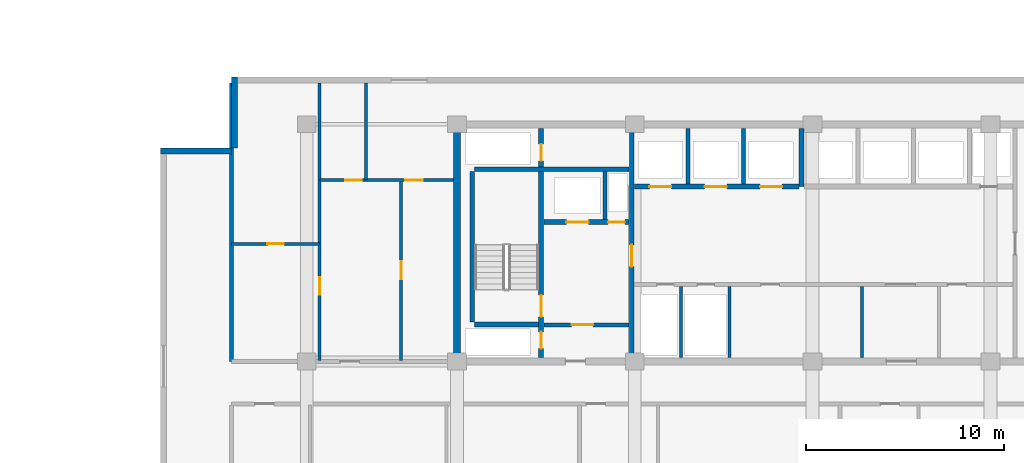
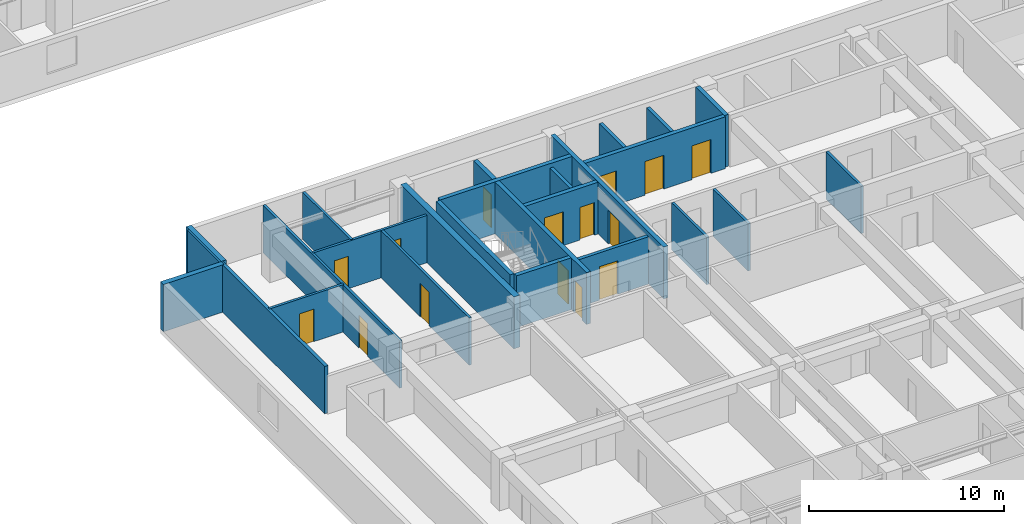
# One storey, part 7 of 23: 24 walls, 15 doors, 15 openings.
"""IFC4 building model written with IfcOpenShell, lengths in metres."""

from ifc_helpers import new_model, si_unit, direction, frame, frame_2d, origin, place, context, subcontext, project, spatial, rectangle, extrude, material, layer, layer_set, type_object, element, fill, save


model = new_model("IFC4")

# Units and contexts
model_context = context("Model", 3, precision=1e-05, world=origin(), true_north=direction((0.0, 1.0)))
body_context = subcontext(model_context, "Body", "Model", "MODEL_VIEW")
ifc_project = project(units=[si_unit("LENGTHUNIT", "METRE"), si_unit("AREAUNIT", "SQUARE_METRE"), si_unit("VOLUMEUNIT", "CUBIC_METRE"), si_unit("PLANEANGLEUNIT", "RADIAN"), si_unit("MASSUNIT", "GRAM", prefix="KILO")], contexts=[model_context])

# Site, building, storey
site_placement = place(None, origin())
site = spatial("IfcSite", under=ifc_project, at=site_placement, CompositionType="ELEMENT")
building_placement = place(site_placement, origin())
building = spatial("IfcBuilding", under=site, at=building_placement, Name="Korimba Cascade Residences", CompositionType="ELEMENT")
storey_placement = place(building_placement, frame((0.0, 0.0, 72.75)))
storey = spatial("IfcBuildingStorey", under=building, at=storey_placement, Name="L20", CompositionType="ELEMENT", Elevation=72.75)

# Walls
ifc_material_1 = material(Name="Precast concrete C40/50", Category="concrete")
ifc_layer_1 = layer(ifc_material_1, 0.300048828125)
ifc_layer_set_1 = layer_set([ifc_layer_1], Name="Precast concrete C40/50")
wall_type_1 = type_object("IfcWallType", Name="EW-STONE-300", PredefinedType="STANDARD", material=ifc_layer_set_1)
wall_1_placement = place(storey_placement, frame((70.85009765625, 32.800048828125, 0.0), z_axis=(0.0, 0.0, 1.0), x_axis=(0.0, -1.0, 0.0)))
element("IfcWall", 1, at=wall_1_placement, inside=storey, type_object=wall_type_1, Name="L20 T2 Perimeter Stone Wall E07", PredefinedType="STANDARD", context=body_context, shape_type="SweptSolid", body=[
    extrude(rectangle(XDim=3.60009765625, YDim=0.300048828125, at=frame_2d((1.800048828125, 0.0))), origin(), (0.0, 0.0, 1.0), 2.969970703125),
])
wall_2_placement = place(storey_placement, frame((70.699951171875, 29.050048828125, 0.0), z_axis=(0.0, 0.0, 1.0), x_axis=(-1.0, 0.0, 0.0)))
element("IfcWall", 2, at=wall_2_placement, inside=storey, type_object=wall_type_1, Name="L20 T2 Perimeter Stone Wall E08", PredefinedType="STANDARD", context=body_context, shape_type="SweptSolid", body=[
    extrude(rectangle(XDim=3.599853515625, YDim=0.300048828125, at=frame_2d((1.7998046875, 0.0))), origin(), (0.0, 0.0, 1.0), 2.969970703125),
])
ifc_material_2 = material(Name="Concrete C65/80", Category="concrete")
ifc_layer_2 = layer(ifc_material_2, 0.35009765625)
ifc_layer_set_2 = layer_set([ifc_layer_2], Name="Concrete C65/80")
wall_type_2 = type_object("IfcWallType", Name="WAL-CORE-350", PredefinedType="SHEAR", material=ifc_layer_set_2)
wall_3_placement = place(storey_placement, frame((82.10009765625, 18.574951171875, 0.0), z_axis=(0.0, 0.0, 1.0), x_axis=(0.0, 1.0, 0.0)))
element("IfcWall", 3, at=wall_3_placement, inside=storey, type_object=wall_type_2, Name="L20 Core Shear Wall CW-L20-T2-W", PredefinedType="SHEAR", context=body_context, shape_type="SweptSolid", body=[
    extrude(rectangle(XDim=11.650146484375, YDim=0.35009765625, at=frame_2d((5.8251953125, 0.0))), origin(), (0.0, 0.0, 1.0), 3.25),
])
ifc_layer_3 = layer(ifc_material_1, 0.199951171875)
ifc_layer_set_3 = layer_set([ifc_layer_3], Name="Precast concrete C40/50")
wall_type_3 = type_object("IfcWallType", Name="WAL-IT-200", PredefinedType="PARTITIONING", material=ifc_layer_set_3)
wall_4_placement = place(storey_placement, frame((70.699951171875, 18.39990234375, 0.0), z_axis=(0.0, 0.0, 1.0), x_axis=(0.0, 1.0, 0.0)))
element("IfcWall", 4, at=wall_4_placement, inside=storey, type_object=wall_type_3, Name="L20 Partition Wall WAL-L20-T2-FW-WL", PredefinedType="PARTITIONING", context=body_context, shape_type="SweptSolid", body=[
    extrude(rectangle(XDim=14.10009765625, YDim=0.199951171875, at=frame_2d((7.050048828125, 0.0))), origin(), (0.0, 0.0, 1.0), 2.969970703125),
])
ifc_material_3 = material(Name="Insulated Acoustic Stud Partition", Category="gypsum")
ifc_layer_4 = layer(ifc_material_3, 0.14990234375)
ifc_layer_set_4 = layer_set([ifc_layer_4], Name="Insulated Acoustic Stud Partition")
wall_type_4 = type_object("IfcWallType", Name="WAL-PART-150", PredefinedType="PARTITIONING", material=ifc_layer_set_4)
for number, where, z_axis, x_axis, name in (
    (5, (93.449951171875, 18.60009765625, 0.0), (0.0, 0.0, 1.0), (0.0, 1.0, 0.0), "L20 Partition Wall CW-L20-T2-ERDIV"),
    (6, (95.89990234375, 18.60009765625, 0.0), (0.0, 0.0, 1.0), (0.0, 1.0, 0.0), "L20 Partition Wall CW-L20-T2-PRDIV"),
    (7, (102.60009765625, 18.60009765625, 0.0), (0.0, 0.0, 1.0), (0.0, 1.0, 0.0), "L20 Partition Wall CW-L20-T2-THW"),
):
    element("IfcWall", number, at=place(storey_placement, frame(where, z_axis=z_axis, x_axis=x_axis)), inside=storey, type_object=wall_type_4, Name=name, PredefinedType="PARTITIONING", context=body_context, shape_type="SweptSolid", body=[
        extrude(rectangle(XDim=3.599853515625, YDim=0.14990234375, at=frame_2d((1.7998046875, 0.0))), origin(), (0.0, 0.0, 1.0), 2.969970703125),
    ])

# Wall, opening, door
wall_5_placement = place(storey_placement, frame((70.699951171875, 24.35009765625, 0.0), z_axis=(0.0, 0.0, 1.0), x_axis=(1.0, 0.0, 0.0)))
wall_5 = element("IfcWall", 8, at=wall_5_placement, inside=storey, type_object=wall_type_4, Name="L20 Partition Wall WAL-L20-T2-FW-STH", PredefinedType="PARTITIONING", context=body_context, shape_type="SweptSolid", body=[
    extrude(rectangle(XDim=4.449951171875, YDim=0.14990234375, at=frame_2d((2.22509765625, 0.0))), origin(), (0.0, 0.0, 1.0), 2.969970703125),
])
opening_1_placement = place(wall_5_placement, frame((1.804931640625, 0.0, 0.0)))
opening_1 = element("IfcOpeningElement", 9, at=opening_1_placement, cuts=wall_5, Name="Opening D-BT1", PredefinedType="OPENING", context=body_context, shape_type="SweptSolid", body=[
    extrude(rectangle(XDim=0.840087890625, YDim=2.0400390625, at=frame_2d((0.419921875, 1.02001953125))), frame((0.0, 0.0849609375, 0.0), z_axis=(0.0, -1.0, 0.0), x_axis=(1.0, 0.0, 0.0)), (0.0, 0.0, 1.0), 0.169921875),
])
ifc_material_4 = material(Name="Moisture-Resistant Bathroom Timber Door", Category="wood")
door_type_1 = type_object("IfcDoorType", Name="DR-INT-850", OperationType="NOTDEFINED", PredefinedType="DOOR", material=ifc_material_4)
door_1_placement = place(opening_1_placement, origin())
door_1 = element("IfcDoor", 10, at=door_1_placement, inside=storey, type_object=door_type_1, Name="L20-T2-FW Dressing Store Door", OperationType="SINGLE_SWING_LEFT", OverallHeight=2.0400390625, OverallWidth=0.840087890625, PredefinedType="DOOR", context=body_context, shape_type="SweptSolid", body=[
    extrude(rectangle(XDim=0.840087890625, YDim=2.0400390625, at=frame_2d((0.419921875, 1.02001953125))), frame((0.0, 0.02490234375, 0.0), z_axis=(0.0, -1.0, 0.0), x_axis=(1.0, 0.0, 0.0)), (0.0, 0.0, 1.0), 0.050048828125),
])
fill(opening_1, door_1)

wall_6_placement = place(storey_placement, frame((75.14990234375, 18.449951171875, 0.0), z_axis=(0.0, 0.0, 1.0), x_axis=(0.0, 1.0, 0.0)))
wall_6 = element("IfcWall", 11, at=wall_6_placement, inside=storey, type_object=wall_type_4, Name="L20 Partition Wall WAL-L20-T2-FW-STV", PredefinedType="PARTITIONING", context=body_context, shape_type="SweptSolid", body=[
    extrude(rectangle(XDim=14.050048828125, YDim=0.14990234375, at=frame_2d((7.02490234375, 0.0))), origin(), (0.0, 0.0, 1.0), 2.969970703125),
])
opening_2_placement = place(wall_6_placement, frame((3.320068359375, 0.0, 0.0)))
opening_2 = element("IfcOpeningElement", 12, at=opening_2_placement, cuts=wall_6, Name="Opening D-IN2", PredefinedType="OPENING", context=body_context, shape_type="SweptSolid", body=[
    extrude(rectangle(XDim=0.8798828125, YDim=2.06005859375, at=frame_2d((0.43994140625, 1.030029296875))), frame((0.0, 0.0849609375, 0.0), z_axis=(0.0, -1.0, 0.0), x_axis=(1.0, 0.0, 0.0)), (0.0, 0.0, 1.0), 0.169921875),
])
ifc_material_5 = material(Name="Acoustic Timber Bedroom Door", Category="wood")
door_type_2 = type_object("IfcDoorType", Name="DR-INT-880", OperationType="NOTDEFINED", PredefinedType="DOOR", material=ifc_material_5)
door_2_placement = place(opening_2_placement, origin())
door_2 = element("IfcDoor", 13, at=door_2_placement, inside=storey, type_object=door_type_2, Name="L20-T2-FW Study Door", OperationType="SINGLE_SWING_RIGHT", OverallHeight=2.06005859375, OverallWidth=0.8798828125, PredefinedType="DOOR", context=body_context, shape_type="SweptSolid", body=[
    extrude(rectangle(XDim=0.8798828125, YDim=2.06005859375, at=frame_2d((0.43994140625, 1.030029296875))), frame((0.0, 0.02490234375, 0.0), z_axis=(0.0, -1.0, 0.0), x_axis=(1.0, 0.0, 0.0)), (0.0, 0.0, 1.0), 0.050048828125),
])
fill(opening_2, door_2)

wall_7_placement = place(storey_placement, frame((79.27001953125, 18.449951171875, 0.0), z_axis=(0.0, 0.0, 1.0), x_axis=(0.0, 1.0, 0.0)))
wall_7 = element("IfcWall", 14, at=wall_7_placement, inside=storey, type_object=wall_type_4, Name="L20 Partition Wall WAL-L20-T2-FW-VS", PredefinedType="PARTITIONING", context=body_context, shape_type="SweptSolid", body=[
    extrude(rectangle(XDim=9.1201171875, YDim=0.14990234375, at=frame_2d((4.56005859375, 0.0))), origin(), (0.0, 0.0, 1.0), 2.969970703125),
])
opening_3_placement = place(wall_7_placement, frame((4.10009765625, 0.0, 0.0)))
opening_3 = element("IfcOpeningElement", 15, at=opening_3_placement, cuts=wall_7, Name="Opening D-IN1", PredefinedType="OPENING", context=body_context, shape_type="SweptSolid", body=[
    extrude(rectangle(XDim=0.919921875, YDim=2.080078125, at=frame_2d((0.4599609375, 1.0400390625))), frame((0.0, 0.0849609375, 0.0), z_axis=(0.0, -1.0, 0.0), x_axis=(1.0, 0.0, 0.0)), (0.0, 0.0, 1.0), 0.169921875),
])
ifc_material_6 = material(Name="Acoustic Timber Living Door", Category="wood")
door_type_3 = type_object("IfcDoorType", Name="DR-INT-920", OperationType="NOTDEFINED", PredefinedType="DOOR", material=ifc_material_6)
door_3_placement = place(opening_3_placement, origin())
door_3 = element("IfcDoor", 16, at=door_3_placement, inside=storey, type_object=door_type_3, Name="L20-T2-FW Living Door", OperationType="SINGLE_SWING_LEFT", OverallHeight=2.080078125, OverallWidth=0.919921875, PredefinedType="DOOR", context=body_context, shape_type="SweptSolid", body=[
    extrude(rectangle(XDim=0.919921875, YDim=2.080078125, at=frame_2d((0.4599609375, 1.0400390625))), frame((0.0, 0.02490234375, 0.0), z_axis=(0.0, -1.0, 0.0), x_axis=(1.0, 0.0, 0.0)), (0.0, 0.0, 1.0), 0.050048828125),
])
fill(opening_3, door_3)

# Wall
wall_8_placement = place(storey_placement, frame((77.5, 27.570068359375, 0.0), z_axis=(0.0, 0.0, 1.0), x_axis=(0.0, 1.0, 0.0)))
element("IfcWall", 17, at=wall_8_placement, inside=storey, type_object=wall_type_4, Name="L20 Partition Wall WAL-L20-T2-FW-VN", PredefinedType="PARTITIONING", context=body_context, shape_type="SweptSolid", body=[
    extrude(rectangle(XDim=4.929931640625, YDim=0.14990234375, at=frame_2d((2.46484375, 0.0))), origin(), (0.0, 0.0, 1.0), 2.969970703125),
])

# Wall, openings, doors
wall_9_placement = place(storey_placement, frame((75.169921875, 27.570068359375, 0.0), z_axis=(0.0, 0.0, 1.0), x_axis=(1.0, 0.0, 0.0)))
wall_9 = element("IfcWall", 18, at=wall_9_placement, inside=storey, type_object=wall_type_4, Name="L20 Partition Wall WAL-L20-T2-FW-H", PredefinedType="PARTITIONING", context=body_context, shape_type="SweptSolid", body=[
    extrude(rectangle(XDim=6.760009765625, YDim=0.14990234375, at=frame_2d((3.3798828125, 0.0))), origin(), (0.0, 0.0, 1.0), 2.969970703125),
])
opening_4_placement = place(wall_9_placement, frame((1.266357421875, 0.0, 0.0)))
opening_4 = element("IfcOpeningElement", 19, at=opening_4_placement, cuts=wall_9, Name="Opening D-BT1", PredefinedType="OPENING", context=body_context, shape_type="SweptSolid", body=[
    extrude(rectangle(XDim=0.840087890625, YDim=2.0400390625, at=frame_2d((0.419921875, 1.02001953125))), frame((0.0, 0.0849609375, 0.0), z_axis=(0.0, -1.0, 0.0), x_axis=(1.0, 0.0, 0.0)), (0.0, 0.0, 1.0), 0.169921875),
])
opening_5_placement = place(wall_9_placement, frame((4.320068359375, 0.0, 0.0)))
opening_5 = element("IfcOpeningElement", 20, at=opening_5_placement, cuts=wall_9, Name="Opening D-IN2", PredefinedType="OPENING", context=body_context, shape_type="SweptSolid", body=[
    extrude(rectangle(XDim=0.8798828125, YDim=2.06005859375, at=frame_2d((0.43994140625, 1.030029296875))), frame((0.0, 0.0849609375, 0.0), z_axis=(0.0, -1.0, 0.0), x_axis=(1.0, 0.0, 0.0)), (0.0, 0.0, 1.0), 0.169921875),
])
door_4_placement = place(opening_4_placement, origin())
door_4 = element("IfcDoor", 21, at=door_4_placement, inside=storey, type_object=door_type_1, Name="L20-T2-FW Bathroom Door", OperationType="SINGLE_SWING_RIGHT", OverallHeight=2.0400390625, OverallWidth=0.840087890625, PredefinedType="DOOR", context=body_context, shape_type="SweptSolid", body=[
    extrude(rectangle(XDim=0.840087890625, YDim=2.0400390625, at=frame_2d((0.419921875, 1.02001953125))), frame((0.0, 0.02490234375, 0.0), z_axis=(0.0, -1.0, 0.0), x_axis=(1.0, 0.0, 0.0)), (0.0, 0.0, 1.0), 0.050048828125),
])
fill(opening_4, door_4)
door_5_placement = place(opening_5_placement, origin())
door_5 = element("IfcDoor", 22, at=door_5_placement, inside=storey, type_object=door_type_2, Name="L20-T2-FW Bedroom Door", OperationType="SINGLE_SWING_LEFT", OverallHeight=2.06005859375, OverallWidth=0.8798828125, PredefinedType="DOOR", context=body_context, shape_type="SweptSolid", body=[
    extrude(rectangle(XDim=0.8798828125, YDim=2.06005859375, at=frame_2d((0.43994140625, 1.030029296875))), frame((0.0, 0.02490234375, 0.0), z_axis=(0.0, -1.0, 0.0), x_axis=(1.0, 0.0, 0.0)), (0.0, 0.0, 1.0), 0.050048828125),
])
fill(opening_5, door_5)

# Wall
ifc_material_7 = material(Name="Concrete C40/50", Category="concrete")
ifc_layer_5 = layer(ifc_material_7, 0.199951171875)
ifc_layer_set_5 = layer_set([ifc_layer_5], Name="Concrete C40/50")
wall_type_5 = type_object("IfcWallType", Name="WAL-PART-200", PredefinedType="PARTITIONING", material=ifc_layer_set_5)
wall_10_placement = place(storey_placement, frame((89.60009765625, 25.580078125, 0.0), z_axis=(0.0, 0.0, 1.0), x_axis=(0.0, 1.0, 0.0)))
element("IfcWall", 23, at=wall_10_placement, inside=storey, type_object=wall_type_5, Name="L20 Partition Wall CW-L20-T2-FFLDIV", PredefinedType="PARTITIONING", context=body_context, shape_type="SweptSolid", body=[
    extrude(rectangle(XDim=2.419921875, YDim=0.199951171875, at=frame_2d((1.2099609375, 0.0))), origin(), (0.0, 0.0, 1.0), 2.969970703125),
])

# Wall, opening, door
wall_11_placement = place(storey_placement, frame((86.5, 20.25, 0.0), z_axis=(0.0, 0.0, 1.0), x_axis=(1.0, 0.0, 0.0)))
wall_11 = element("IfcWall", 24, at=wall_11_placement, inside=storey, type_object=wall_type_5, Name="L20 Partition Wall CW-L20-T2-FFLS", PredefinedType="PARTITIONING", context=body_context, shape_type="SweptSolid", body=[
    extrude(rectangle(XDim=4.320068359375, YDim=0.199951171875, at=frame_2d((2.16015625, 0.0))), origin(), (0.0, 0.0, 1.0), 2.969970703125),
])
opening_6_placement = place(wall_11_placement, frame((1.39990234375, 0.0, 0.0)))
opening_6 = element("IfcOpeningElement", 25, at=opening_6_placement, cuts=wall_11, Name="Opening D-FD1", PredefinedType="OPENING", context=body_context, shape_type="SweptSolid", body=[
    extrude(rectangle(XDim=1.10009765625, YDim=2.10009765625, at=frame_2d((0.550048828125, 1.050048828125))), frame((0.0, 0.10986328125, 0.0), z_axis=(0.0, -1.0, 0.0), x_axis=(1.0, 0.0, 0.0)), (0.0, 0.0, 1.0), 0.219970703125),
])
ifc_material_8 = material(Name="Fire-Rated Steel Core Door", Category="steel")
door_type_4 = type_object("IfcDoorType", Name="DR-FD120-1100", OperationType="NOTDEFINED", PredefinedType="DOOR", material=ifc_material_8)
door_6_placement = place(opening_6_placement, origin())
door_6 = element("IfcDoor", 26, at=door_6_placement, inside=storey, type_object=door_type_4, Name="L20 T2 Firefighting Lobby Door", OperationType="SINGLE_SWING_RIGHT", OverallHeight=2.10009765625, OverallWidth=1.10009765625, PredefinedType="DOOR", context=body_context, shape_type="SweptSolid", body=[
    extrude(rectangle(XDim=1.10009765625, YDim=2.10009765625, at=frame_2d((0.550048828125, 1.050048828125))), frame((0.0, 0.02490234375, 0.0), z_axis=(0.0, -1.0, 0.0), x_axis=(1.0, 0.0, 0.0)), (0.0, 0.0, 1.0), 0.050048828125),
])
fill(opening_6, door_6)

# Walls
for number, where, z_axis, x_axis, name in (
    (27, (93.800048828125, 27.3798828125, 0.0), (0.0, 0.0, 1.0), (0.0, 1.0, 0.0), "L20 Partition Wall CW-L20-T2-B1D1"),
    (28, (96.60009765625, 27.3798828125, 0.0), (0.0, 0.0, 1.0), (0.0, 1.0, 0.0), "L20 Partition Wall CW-L20-T2-B1D2"),
):
    element("IfcWall", number, at=place(storey_placement, frame(where, z_axis=z_axis, x_axis=x_axis)), inside=storey, type_object=wall_type_5, Name=name, PredefinedType="PARTITIONING", context=body_context, shape_type="SweptSolid", body=[
        extrude(rectangle(XDim=2.820068359375, YDim=0.199951171875, at=frame_2d((1.41015625, 0.0))), origin(), (0.0, 0.0, 1.0), 2.969970703125),
    ])
ifc_material_9 = material(Name="Concrete C50/60", Category="concrete")
ifc_layer_6 = layer(ifc_material_9, 0.25)
ifc_layer_set_6 = layer_set([ifc_layer_6], Name="Concrete C50/60")
wall_type_6 = type_object("IfcWallType", Name="WAL-SHAFT-250", PredefinedType="SHEAR", material=ifc_layer_set_6)
wall_12_placement = place(storey_placement, frame((82.875, 20.39990234375, 0.0), z_axis=(0.0, 0.0, 1.0), x_axis=(0.0, 1.0, 0.0)))
element("IfcWall", 29, at=wall_12_placement, inside=storey, type_object=wall_type_6, Name="L20 Core Shear Wall CW-L20-T2-STE1W", PredefinedType="SHEAR", context=body_context, shape_type="SweptSolid", body=[
    extrude(rectangle(XDim=7.60009765625, YDim=0.25, at=frame_2d((3.800048828125, 0.0))), origin(), (0.0, 0.0, 1.0), 3.25),
])

# Wall, openings, doors
wall_13_placement = place(storey_placement, frame((86.364990234375, 18.60009765625, 0.0), z_axis=(0.0, 0.0, 1.0), x_axis=(0.0, 1.0, 0.0)))
wall_13 = element("IfcWall", 30, at=wall_13_placement, inside=storey, type_object=wall_type_6, Name="L20 Core Shear Wall CW-L20-T2-STE1E", PredefinedType="SHEAR", context=body_context, shape_type="SweptSolid", body=[
    extrude(rectangle(XDim=11.599853515625, YDim=0.25, at=frame_2d((5.7998046875, 0.0))), origin(), (0.0, 0.0, 1.0), 3.25),
])
opening_7_placement = place(wall_13_placement, frame((0.449951171875, 0.0, 0.0)))
opening_7 = element("IfcOpeningElement", 31, at=opening_7_placement, cuts=wall_13, Name="Opening D-RS1", PredefinedType="OPENING", context=body_context, shape_type="SweptSolid", body=[
    extrude(rectangle(XDim=0.85009765625, YDim=2.050048828125, at=frame_2d((0.425048828125, 1.02490234375))), frame((0.0, 0.135009765625, 0.0), z_axis=(0.0, -1.0, 0.0), x_axis=(1.0, 0.0, 0.0)), (0.0, 0.0, 1.0), 0.27001953125),
])
opening_8_placement = place(wall_13_placement, frame((2.050048828125, 0.0, 0.0)))
opening_8 = element("IfcOpeningElement", 32, at=opening_8_placement, cuts=wall_13, Name="Opening D-FD1", PredefinedType="OPENING", context=body_context, shape_type="SweptSolid", body=[
    extrude(rectangle(XDim=1.10009765625, YDim=2.10009765625, at=frame_2d((0.550048828125, 1.050048828125))), frame((0.0, 0.135009765625, 0.0), z_axis=(0.0, -1.0, 0.0), x_axis=(1.0, 0.0, 0.0)), (0.0, 0.0, 1.0), 0.27001953125),
])
opening_9_placement = place(wall_13_placement, frame((9.949951171875, 0.0, 0.0)))
opening_9 = element("IfcOpeningElement", 33, at=opening_9_placement, cuts=wall_13, Name="Opening D-RS1", PredefinedType="OPENING", context=body_context, shape_type="SweptSolid", body=[
    extrude(rectangle(XDim=0.85009765625, YDim=2.050048828125, at=frame_2d((0.425048828125, 1.02490234375))), frame((0.0, 0.135009765625, 0.0), z_axis=(0.0, -1.0, 0.0), x_axis=(1.0, 0.0, 0.0)), (0.0, 0.0, 1.0), 0.27001953125),
])
door_7_placement = place(opening_8_placement, origin())
door_7 = element("IfcDoor", 34, at=door_7_placement, inside=storey, type_object=door_type_4, Name="L20 Fire Stair ST-E1 Door", OperationType="SINGLE_SWING_LEFT", OverallHeight=2.10009765625, OverallWidth=1.10009765625, PredefinedType="DOOR", context=body_context, shape_type="SweptSolid", body=[
    extrude(rectangle(XDim=1.10009765625, YDim=2.10009765625, at=frame_2d((0.550048828125, 1.050048828125))), frame((0.0, 0.02490234375, 0.0), z_axis=(0.0, -1.0, 0.0), x_axis=(1.0, 0.0, 0.0)), (0.0, 0.0, 1.0), 0.050048828125),
])
fill(opening_8, door_7)
ifc_material_10 = material(Name="Fire-Rated Steel Riser Access Door", Category="steel")
door_type_5 = type_object("IfcDoorType", Name="DR-FD60-850", OperationType="NOTDEFINED", PredefinedType="DOOR", material=ifc_material_10)
door_8_placement = place(opening_7_placement, origin())
door_8 = element("IfcDoor", 35, at=door_8_placement, inside=storey, type_object=door_type_5, Name="L20 T2 Hydrant Riser Door", OperationType="SINGLE_SWING_RIGHT", OverallHeight=2.050048828125, OverallWidth=0.85009765625, PredefinedType="DOOR", context=body_context, shape_type="SweptSolid", body=[
    extrude(rectangle(XDim=0.85009765625, YDim=2.050048828125, at=frame_2d((0.425048828125, 1.02490234375))), frame((0.0, 0.02490234375, 0.0), z_axis=(0.0, -1.0, 0.0), x_axis=(1.0, 0.0, 0.0)), (0.0, 0.0, 1.0), 0.050048828125),
])
fill(opening_7, door_8)
door_9_placement = place(opening_9_placement, origin())
door_9 = element("IfcDoor", 36, at=door_9_placement, inside=storey, type_object=door_type_5, Name="L20 T2 Smoke Shaft Door", OperationType="SINGLE_SWING_RIGHT", OverallHeight=2.050048828125, OverallWidth=0.85009765625, PredefinedType="DOOR", context=body_context, shape_type="SweptSolid", body=[
    extrude(rectangle(XDim=0.85009765625, YDim=2.050048828125, at=frame_2d((0.425048828125, 1.02490234375))), frame((0.0, 0.02490234375, 0.0), z_axis=(0.0, -1.0, 0.0), x_axis=(1.0, 0.0, 0.0)), (0.0, 0.0, 1.0), 0.050048828125),
])
fill(opening_9, door_9)

# Walls
wall_14_placement = place(storey_placement, frame((83.0, 20.27490234375, 0.0), z_axis=(0.0, 0.0, 1.0), x_axis=(1.0, 0.0, 0.0)))
element("IfcWall", 37, at=wall_14_placement, inside=storey, type_object=wall_type_6, Name="L20 Core Shear Wall CW-L20-T2-STE1S", PredefinedType="SHEAR", context=body_context, shape_type="SweptSolid", body=[
    extrude(rectangle(XDim=3.239990234375, YDim=0.25, at=frame_2d((1.6201171875, 0.0))), origin(), (0.0, 0.0, 1.0), 3.25),
])
wall_15_placement = place(storey_placement, frame((83.0, 28.125, 0.0), z_axis=(0.0, 0.0, 1.0), x_axis=(1.0, 0.0, 0.0)))
element("IfcWall", 38, at=wall_15_placement, inside=storey, type_object=wall_type_6, Name="L20 Core Shear Wall CW-L20-T2-STE1N", PredefinedType="SHEAR", context=body_context, shape_type="SweptSolid", body=[
    extrude(rectangle(XDim=7.820068359375, YDim=0.25, at=frame_2d((3.91015625, 0.0))), origin(), (0.0, 0.0, 1.0), 3.25),
])

# Wall, openings, doors
wall_16_placement = place(storey_placement, frame((86.5, 25.449951171875, 0.0), z_axis=(0.0, 0.0, 1.0), x_axis=(1.0, 0.0, 0.0)))
wall_16 = element("IfcWall", 39, at=wall_16_placement, inside=storey, type_object=wall_type_6, Name="L20 Core Shear Wall CW-L20-T2-FFLN", PredefinedType="SHEAR", context=body_context, shape_type="SweptSolid", body=[
    extrude(rectangle(XDim=4.320068359375, YDim=0.25, at=frame_2d((2.16015625, 0.0))), origin(), (0.0, 0.0, 1.0), 3.25),
])
opening_10_placement = place(wall_16_placement, frame((1.139892578125, 0.0, 0.0)))
opening_10 = element("IfcOpeningElement", 40, at=opening_10_placement, cuts=wall_16, Name="Opening LD-01", PredefinedType="OPENING", context=body_context, shape_type="SweptSolid", body=[
    extrude(rectangle(XDim=1.1201171875, YDim=2.1201171875, at=frame_2d((0.56005859375, 1.06005859375))), frame((0.0, 0.135009765625, 0.0), z_axis=(0.0, -1.0, 0.0), x_axis=(1.0, 0.0, 0.0)), (0.0, 0.0, 1.0), 0.27001953125),
])
opening_11_placement = place(wall_16_placement, frame((3.25, 0.0, 0.0)))
opening_11 = element("IfcOpeningElement", 41, at=opening_11_placement, cuts=wall_16, Name="Opening D-RS1", PredefinedType="OPENING", context=body_context, shape_type="SweptSolid", body=[
    extrude(rectangle(XDim=0.85009765625, YDim=2.050048828125, at=frame_2d((0.425048828125, 1.02490234375))), frame((0.0, 0.135009765625, 0.0), z_axis=(0.0, -1.0, 0.0), x_axis=(1.0, 0.0, 0.0)), (0.0, 0.0, 1.0), 0.27001953125),
])
door_10_placement = place(opening_11_placement, origin())
door_10 = element("IfcDoor", 42, at=door_10_placement, inside=storey, type_object=door_type_5, Name="L20 T2 Pressurisation Riser Door", OperationType="SINGLE_SWING_LEFT", OverallHeight=2.050048828125, OverallWidth=0.85009765625, PredefinedType="DOOR", context=body_context, shape_type="SweptSolid", body=[
    extrude(rectangle(XDim=0.85009765625, YDim=2.050048828125, at=frame_2d((0.425048828125, 1.02490234375))), frame((0.0, 0.02490234375, 0.0), z_axis=(0.0, -1.0, 0.0), x_axis=(1.0, 0.0, 0.0)), (0.0, 0.0, 1.0), 0.050048828125),
])
fill(opening_11, door_10)
ifc_material_11 = material(Name="Stainless Steel Lift Landing Sliding Door", Category="steel")
door_type_6 = type_object("IfcDoorType", Name="DR-LIFT-1100", OperationType="NOTDEFINED", PredefinedType="DOOR", material=ifc_material_11)
door_11_placement = place(opening_10_placement, origin())
door_11 = element("IfcDoor", 43, at=door_11_placement, inside=storey, type_object=door_type_6, Name="L20 Firefighting Lift Landing Door FFL-E1", OperationType="SLIDING_TO_RIGHT", OverallHeight=2.1201171875, OverallWidth=1.1201171875, PredefinedType="DOOR", context=body_context, shape_type="SweptSolid", body=[
    extrude(rectangle(XDim=1.1201171875, YDim=2.1201171875, at=frame_2d((0.56005859375, 1.06005859375))), frame((0.0, 0.02490234375, 0.0), z_axis=(0.0, -1.0, 0.0), x_axis=(1.0, 0.0, 0.0)), (0.0, 0.0, 1.0), 0.050048828125),
])
fill(opening_10, door_11)

# Wall, opening, door
wall_17_placement = place(storey_placement, frame((90.949951171875, 18.60009765625, 0.0), z_axis=(0.0, 0.0, 1.0), x_axis=(0.0, 1.0, 0.0)))
wall_17 = element("IfcWall", 44, at=wall_17_placement, inside=storey, type_object=wall_type_6, Name="L20 Core Shear Wall CW-L20-T2-FFLE", PredefinedType="SHEAR", context=body_context, shape_type="SweptSolid", body=[
    extrude(rectangle(XDim=11.599853515625, YDim=0.25, at=frame_2d((5.7998046875, 0.0))), origin(), (0.0, 0.0, 1.0), 3.25),
])
opening_12_placement = place(wall_17_placement, frame((4.60009765625, 0.0, 0.0)))
opening_12 = element("IfcOpeningElement", 45, at=opening_12_placement, cuts=wall_17, Name="Opening D-FD1", PredefinedType="OPENING", context=body_context, shape_type="SweptSolid", body=[
    extrude(rectangle(XDim=1.10009765625, YDim=2.10009765625, at=frame_2d((0.550048828125, 1.050048828125))), frame((0.0, 0.135009765625, 0.0), z_axis=(0.0, -1.0, 0.0), x_axis=(1.0, 0.0, 0.0)), (0.0, 0.0, 1.0), 0.27001953125),
])
door_12_placement = place(opening_12_placement, origin())
door_12 = element("IfcDoor", 46, at=door_12_placement, inside=storey, type_object=door_type_4, Name="L20 T2 Firefighting Lobby to Lift Lobby Door", OperationType="SINGLE_SWING_LEFT", OverallHeight=2.10009765625, OverallWidth=1.10009765625, PredefinedType="DOOR", context=body_context, shape_type="SweptSolid", body=[
    extrude(rectangle(XDim=1.10009765625, YDim=2.10009765625, at=frame_2d((0.550048828125, 1.050048828125))), frame((0.0, 0.02490234375, 0.0), z_axis=(0.0, -1.0, 0.0), x_axis=(1.0, 0.0, 0.0)), (0.0, 0.0, 1.0), 0.050048828125),
])
fill(opening_12, door_12)

# Wall, openings, doors
wall_18_placement = place(storey_placement, frame((91.080078125, 27.25, 0.0), z_axis=(0.0, 0.0, 1.0), x_axis=(1.0, 0.0, 0.0)))
wall_18 = element("IfcWall", 47, at=wall_18_placement, inside=storey, type_object=wall_type_6, Name="L20 Core Shear Wall CW-L20-T2-B1S", PredefinedType="SHEAR", context=body_context, shape_type="SweptSolid", body=[
    extrude(rectangle(XDim=8.33984375, YDim=0.25, at=frame_2d((4.169921875, 0.0))), origin(), (0.0, 0.0, 1.0), 3.25),
])
opening_13_placement = place(wall_18_placement, frame((0.760009765625, 0.0, 0.0)))
opening_13 = element("IfcOpeningElement", 48, at=opening_13_placement, cuts=wall_18, Name="Opening LD-01", PredefinedType="OPENING", context=body_context, shape_type="SweptSolid", body=[
    extrude(rectangle(XDim=1.1201171875, YDim=2.1201171875, at=frame_2d((0.56005859375, 1.06005859375))), frame((0.0, 0.135009765625, 0.0), z_axis=(0.0, -1.0, 0.0), x_axis=(1.0, 0.0, 0.0)), (0.0, 0.0, 1.0), 0.27001953125),
])
opening_14_placement = place(wall_18_placement, frame((3.56005859375, 0.0, 0.0)))
opening_14 = element("IfcOpeningElement", 49, at=opening_14_placement, cuts=wall_18, Name="Opening LD-01", PredefinedType="OPENING", context=body_context, shape_type="SweptSolid", body=[
    extrude(rectangle(XDim=1.1201171875, YDim=2.1201171875, at=frame_2d((0.56005859375, 1.06005859375))), frame((0.0, 0.135009765625, 0.0), z_axis=(0.0, -1.0, 0.0), x_axis=(1.0, 0.0, 0.0)), (0.0, 0.0, 1.0), 0.27001953125),
])
opening_15_placement = place(wall_18_placement, frame((6.360107421875, 0.0, 0.0)))
opening_15 = element("IfcOpeningElement", 50, at=opening_15_placement, cuts=wall_18, Name="Opening LD-01", PredefinedType="OPENING", context=body_context, shape_type="SweptSolid", body=[
    extrude(rectangle(XDim=1.1201171875, YDim=2.1201171875, at=frame_2d((0.56005859375, 1.06005859375))), frame((0.0, 0.135009765625, 0.0), z_axis=(0.0, -1.0, 0.0), x_axis=(1.0, 0.0, 0.0)), (0.0, 0.0, 1.0), 0.27001953125),
])
door_13_placement = place(opening_13_placement, origin())
door_13 = element("IfcDoor", 51, at=door_13_placement, inside=storey, type_object=door_type_6, Name="L20 Lift Landing Door PL-E1", OperationType="SLIDING_TO_LEFT", OverallHeight=2.1201171875, OverallWidth=1.1201171875, PredefinedType="DOOR", context=body_context, shape_type="SweptSolid", body=[
    extrude(rectangle(XDim=1.1201171875, YDim=2.1201171875, at=frame_2d((0.56005859375, 1.06005859375))), frame((0.0, 0.02490234375, 0.0), z_axis=(0.0, -1.0, 0.0), x_axis=(1.0, 0.0, 0.0)), (0.0, 0.0, 1.0), 0.050048828125),
])
fill(opening_13, door_13)
door_14_placement = place(opening_14_placement, origin())
door_14 = element("IfcDoor", 52, at=door_14_placement, inside=storey, type_object=door_type_6, Name="L20 Lift Landing Door PL-E2", OperationType="SLIDING_TO_LEFT", OverallHeight=2.1201171875, OverallWidth=1.1201171875, PredefinedType="DOOR", context=body_context, shape_type="SweptSolid", body=[
    extrude(rectangle(XDim=1.1201171875, YDim=2.1201171875, at=frame_2d((0.56005859375, 1.06005859375))), frame((0.0, 0.02490234375, 0.0), z_axis=(0.0, -1.0, 0.0), x_axis=(1.0, 0.0, 0.0)), (0.0, 0.0, 1.0), 0.050048828125),
])
fill(opening_14, door_14)
door_15_placement = place(opening_15_placement, origin())
door_15 = element("IfcDoor", 53, at=door_15_placement, inside=storey, type_object=door_type_6, Name="L20 Lift Landing Door PL-E3", OperationType="SLIDING_TO_LEFT", OverallHeight=2.1201171875, OverallWidth=1.1201171875, PredefinedType="DOOR", context=body_context, shape_type="SweptSolid", body=[
    extrude(rectangle(XDim=1.1201171875, YDim=2.1201171875, at=frame_2d((0.56005859375, 1.06005859375))), frame((0.0, 0.02490234375, 0.0), z_axis=(0.0, -1.0, 0.0), x_axis=(1.0, 0.0, 0.0)), (0.0, 0.0, 1.0), 0.050048828125),
])
fill(opening_15, door_15)

# Wall
wall_19_placement = place(storey_placement, frame((99.550048828125, 27.25, 0.0), z_axis=(0.0, 0.0, 1.0), x_axis=(0.0, 1.0, 0.0)))
element("IfcWall", 54, at=wall_19_placement, inside=storey, type_object=wall_type_6, Name="L20 Core Shear Wall CW-L20-T2-B12DIV", PredefinedType="SHEAR", context=body_context, shape_type="SweptSolid", body=[
    extrude(rectangle(XDim=2.949951171875, YDim=0.25, at=frame_2d((1.47509765625, 0.0))), origin(), (0.0, 0.0, 1.0), 3.25),
])

save(model, "model.ifc")
